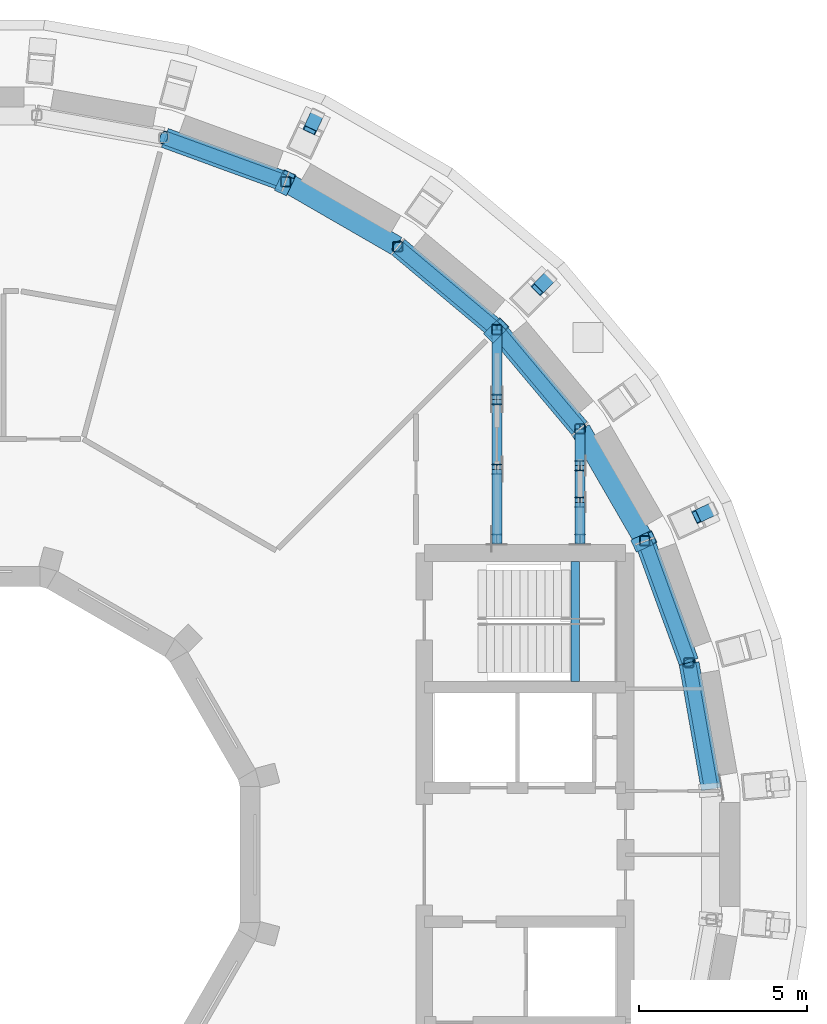
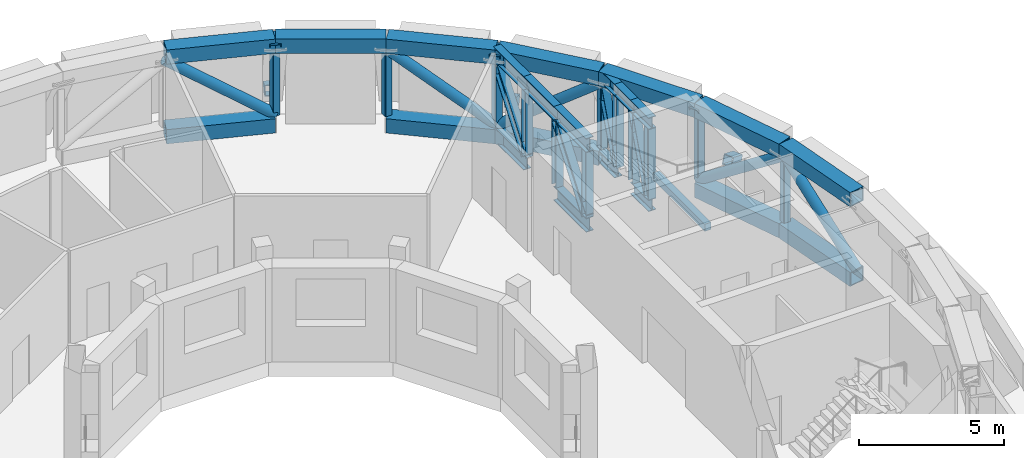
# One storey, part 7 of 20: 43 members, 7 beams.
"""IFC4 building model written with IfcOpenShell, lengths in metres."""

from ifc_helpers import new_model, si_unit, direction, frame, origin, origin_2d, place, context, subcontext, project, spatial, rectangle, hollow_rectangle, hollow_circle, i_section, extrude, material, material_profile, profile_set, type_object, element, save


model = new_model("IFC4")

# Units and contexts
model_context = context("Model", 3, precision=1e-05, world=origin(), true_north=direction((0.0, 1.0)))
body_context = subcontext(model_context, "Body", "Model", "MODEL_VIEW")
ifc_project = project(units=[si_unit("LENGTHUNIT", "METRE"), si_unit("AREAUNIT", "SQUARE_METRE"), si_unit("VOLUMEUNIT", "CUBIC_METRE"), si_unit("PLANEANGLEUNIT", "RADIAN"), si_unit("MASSUNIT", "GRAM", prefix="KILO")], contexts=[model_context])

# Site, building, storey
site_placement = place(None, origin())
site = spatial("IfcSite", under=ifc_project, at=site_placement, CompositionType="ELEMENT")
building_placement = place(site_placement, origin())
building = spatial("IfcBuilding", under=site, at=building_placement, Name="Saqina Gate Tower", CompositionType="ELEMENT")
storey_placement = place(building_placement, frame((0.0, 0.0, 220.199951171875)))
storey = spatial("IfcBuildingStorey", under=building, at=storey_placement, Name="L63", CompositionType="ELEMENT", Elevation=220.199951171875)

# Beam
ifc_material_1 = material(Name="Concrete C40/50", Category="concrete")
ifc_material_profile_1 = material_profile(ifc_material_1, rectangle(XDim=0.25, YDim=0.300048828125, at=origin_2d()), Name="STAIR LANDING BEAM")
ifc_profile_set_1 = profile_set([ifc_material_profile_1], Name="Concrete C40/50")
beam_type_1 = type_object("IfcBeamType", Name="STAIR LANDING BEAM", PredefinedType="BEAM", material=ifc_profile_set_1)
beam_placement = place(storey_placement, frame((18.0, 5.175048828125, 1.85009765625), z_axis=(0.0, 1.0, 0.0), x_axis=(-1.0, 0.0, 0.0)))
element("IfcBeam", 1, at=beam_placement, inside=storey, type_object=beam_type_1, Name="EXIT STAIR 1 LANDING BEAM", PredefinedType="BEAM", context=body_context, shape_type="SweptSolid", body=[
    extrude(rectangle(XDim=0.25, YDim=0.300048828125, at=origin_2d()), origin(), (0.0, 0.0, 1.0), 3.574951171875),
])

# Members
ifc_material_2 = material(Name="Steel S460", Category="steel")
ifc_material_profile_2 = material_profile(ifc_material_2, hollow_rectangle(XDim=0.60009765625, YDim=0.60009765625, WallThickness=0.0400390625, at=origin_2d()), Name="BOX 600x600x40")
ifc_profile_set_2 = profile_set([ifc_material_profile_2], Name="Steel S460")
member_type_1 = type_object("IfcMemberType", Name="STR-BELT TRUSS L63 CHORD-BOX 600x600x40", PredefinedType="CHORD", material=ifc_profile_set_2)
for number, where, z_axis, x_axis, name in (
    (2, (22.06103515625, 1.956298828125, 0.300048828125), (-0.173591515108, 0.984817742469, 0.0), (-0.984817742469, -0.173591515108, 0.0), "BELT TRUSS L63 CHORD 001"),
    (3, (22.06103515625, 1.956298828125, 3.650146484375), (-0.173591515108, 0.984817742469, 0.0), (-0.984817742469, -0.173591515108, 0.0), "BELT TRUSS L63 CHORD 002"),
    (4, (21.38623046875, 5.757568359375, 0.300048828125), (-0.341995255876, 0.939701678704, 0.0), (-0.939701678704, -0.341995255876, 0.0), "BELT TRUSS L63 CHORD 004"),
    (5, (21.38623046875, 5.757568359375, 3.650146484375), (-0.341995255876, 0.939701678704, 0.0), (-0.939701678704, -0.341995255876, 0.0), "BELT TRUSS L63 CHORD 005"),
):
    element("IfcMember", number, at=place(storey_placement, frame(where, z_axis=z_axis, x_axis=x_axis)), inside=storey, type_object=member_type_1, Name=name, PredefinedType="CHORD", context=body_context, shape_type="SweptSolid", body=[
        extrude(hollow_rectangle(XDim=0.60009765625, YDim=0.60009765625, WallThickness=0.0400390625, at=origin_2d()), origin(), (0.0, 0.0, 1.0), 3.80859375),
    ])
member_1_placement = place(storey_placement, frame((20.0615234375, 9.3837890625, 3.650146484375), z_axis=(-0.500027655771, 0.866009436129, 0.0), x_axis=(-0.866009436129, -0.500027655771, 0.0)))
element("IfcMember", 6, at=member_1_placement, inside=storey, type_object=member_type_1, Name="BELT TRUSS L63 CHORD 007", PredefinedType="CHORD", context=body_context, shape_type="SweptSolid", body=[
    extrude(hollow_rectangle(XDim=0.60009765625, YDim=0.60009765625, WallThickness=0.0400390625, at=origin_2d()), origin(), (0.0, 0.0, 1.0), 3.808349609375),
])
for number, where, z_axis, x_axis, name in (
    (7, (18.12744140625, 12.724853515625, 0.300048828125), (-0.642816175622, 0.766020472545, 0.0), (-0.766020472545, -0.642816175622, 0.0), "BELT TRUSS L63 CHORD 008"),
    (8, (18.12744140625, 12.724853515625, 3.650146484375), (-0.642816175622, 0.766020472545, 0.0), (-0.766020472545, -0.642816175622, 0.0), "BELT TRUSS L63 CHORD 009"),
    (9, (15.642333984375, 15.67919921875, 0.300048828125), (-0.766020472545, 0.642816175622, 0.0), (-0.642816175622, -0.766020472545, 0.0), "BELT TRUSS L63 CHORD 011"),
    (10, (15.642333984375, 15.67919921875, 3.650146484375), (-0.766020472545, 0.642816175622, 0.0), (-0.642816175622, -0.766020472545, 0.0), "BELT TRUSS L63 CHORD 012"),
):
    element("IfcMember", number, at=place(storey_placement, frame(where, z_axis=z_axis, x_axis=x_axis)), inside=storey, type_object=member_type_1, Name=name, PredefinedType="CHORD", context=body_context, shape_type="SweptSolid", body=[
        extrude(hollow_rectangle(XDim=0.60009765625, YDim=0.60009765625, WallThickness=0.0400390625, at=origin_2d()), origin(), (0.0, 0.0, 1.0), 3.80859375),
    ])
member_2_placement = place(storey_placement, frame((12.681884765625, 18.1572265625, 3.650146484375), z_axis=(-0.866009436129, 0.500027655771, 0.0), x_axis=(-0.500027655771, -0.866009436129, 0.0)))
element("IfcMember", 11, at=member_2_placement, inside=storey, type_object=member_type_1, Name="BELT TRUSS L63 CHORD 014", PredefinedType="CHORD", context=body_context, shape_type="SweptSolid", body=[
    extrude(hollow_rectangle(XDim=0.60009765625, YDim=0.60009765625, WallThickness=0.0400390625, at=origin_2d()), origin(), (0.0, 0.0, 1.0), 3.808349609375),
])
for number, where, z_axis, x_axis, name in (
    (12, (9.33642578125, 20.083740234375, 0.300048828125), (-0.939701678704, 0.341995255876, 0.0), (-0.341995255876, -0.939701678704, 0.0), "BELT TRUSS L63 CHORD 015"),
    (13, (9.33642578125, 20.083740234375, 3.650146484375), (-0.939701678704, 0.341995255876, 0.0), (-0.341995255876, -0.939701678704, 0.0), "BELT TRUSS L63 CHORD 016"),
):
    element("IfcMember", number, at=place(storey_placement, frame(where, z_axis=z_axis, x_axis=x_axis)), inside=storey, type_object=member_type_1, Name=name, PredefinedType="CHORD", context=body_context, shape_type="SweptSolid", body=[
        extrude(hollow_rectangle(XDim=0.60009765625, YDim=0.60009765625, WallThickness=0.0400390625, at=origin_2d()), origin(), (0.0, 0.0, 1.0), 3.80859375),
    ])
ifc_material_3 = material(Name="Steel S460", Category="steel")
ifc_material_profile_3 = material_profile(ifc_material_3, hollow_circle(Radius=0.203125, WallThickness=0.01611328125, at=origin_2d()), Name="CHS 406.4x16")
ifc_profile_set_3 = profile_set([ifc_material_profile_3], Name="Steel S460")
member_type_2 = type_object("IfcMemberType", Name="STR-BELT TRUSS L63 DIAGONAL-CHS 406.4x16", PredefinedType="BRACE", material=ifc_profile_set_3)
for number, where, z_axis, x_axis, name in (
    (14, (22.0673828125, 1.9208984375, 0.593017578125), (-0.141436387066, 0.802139045921, 0.580145412309), (-0.984808250391, -0.17364535687, 0.0), "BELT TRUSS L63 DIAGONAL 003"),
    (15, (21.398681640625, 5.7236328125, 3.35693359375), (-0.27861538892, 0.765385221428, -0.580136990612), (-0.939677645305, -0.342061285319, 0.0), "BELT TRUSS L63 DIAGONAL 006"),
    (16, (18.150390625, 12.697265625, 3.35693359375), (-0.523528120524, 0.623970085699, -0.580154840687), (-0.766071615577, -0.642755225422, 0.0), "BELT TRUSS L63 DIAGONAL 010"),
    (17, (15.669921875, 15.65625, 0.593017578125), (-0.623970085699, 0.523528120524, 0.580154840687), (-0.642755225422, -0.766071615577, 0.0), "BELT TRUSS L63 DIAGONAL 013"),
    (18, (9.3701171875, 20.0712890625, 0.593017578125), (-0.765385221428, 0.27861538892, 0.580136990612), (-0.342061285319, -0.939677645305, 0.0), "BELT TRUSS L63 DIAGONAL 017"),
):
    element("IfcMember", number, at=place(storey_placement, frame(where, z_axis=z_axis, x_axis=x_axis)), inside=storey, type_object=member_type_2, Name=name, PredefinedType="BRACE", context=body_context, shape_type="SweptSolid", body=[
        extrude(hollow_circle(Radius=0.203125, WallThickness=0.01611328125, at=origin_2d()), origin(), (0.0, 0.0, 1.0), 4.76416015625),
    ])
ifc_material_4 = material(Name="Steel S460", Category="steel")
ifc_material_profile_4 = material_profile(ifc_material_4, hollow_rectangle(XDim=0.300048828125, YDim=0.300048828125, WallThickness=0.01611328125, InnerFilletRadius=0.031982421875, OuterFilletRadius=0.048095703125, at=origin_2d()), Name="SHS 300x300x16")
ifc_profile_set_4 = profile_set([ifc_material_profile_4], Name="Steel S460")
member_type_3 = type_object("IfcMemberType", Name="STR-BELT TRUSS L63 POST-SHS 300x300x16", PredefinedType="POST", material=ifc_profile_set_4)
for number, where, z_axis, x_axis, name in (
    (19, (21.395263671875, 5.73291015625, 0.60009765625), (0.0, 0.0, 1.0), (1.0, 0.0, 0.0), "BELT TRUSS L63 POST 085"),
    (20, (20.07470703125, 9.361083984375, 0.60009765625), (0.0, 0.0, 1.0), (1.0, 0.0, 0.0), "BELT TRUSS L63 POST 086"),
    (21, (18.144287109375, 12.704833984375, 0.60009765625), (0.0, 0.0, 1.0), (1.0, 0.0, 0.0), "BELT TRUSS L63 POST 087"),
    (22, (15.662353515625, 15.662353515625, 0.60009765625), (0.0, 0.0, 1.0), (1.0, 0.0, 0.0), "BELT TRUSS L63 POST 088"),
    (23, (12.704833984375, 18.144287109375, 0.60009765625), (0.0, 0.0, 1.0), (1.0, 0.0, 0.0), "BELT TRUSS L63 POST 089"),
    (24, (9.361083984375, 20.07470703125, 0.60009765625), (0.0, 0.0, 1.0), (1.0, 0.0, 0.0), "BELT TRUSS L63 POST 090"),
):
    element("IfcMember", number, at=place(storey_placement, frame(where, z_axis=z_axis, x_axis=x_axis)), inside=storey, type_object=member_type_3, Name=name, PredefinedType="POST", context=body_context, shape_type="SweptSolid", body=[
        extrude(hollow_rectangle(XDim=0.300048828125, YDim=0.300048828125, WallThickness=0.01611328125, InnerFilletRadius=0.031982421875, OuterFilletRadius=0.048095703125, at=origin_2d()), origin(), (0.0, 0.0, 1.0), 2.75),
    ])

# Beams
ifc_material_5 = material(Name="Steel S460", Category="steel")
ifc_material_profile_5 = material_profile(ifc_material_5, hollow_rectangle(XDim=0.39990234375, YDim=0.39990234375, WallThickness=0.030029296875, at=origin_2d()), Name="BOX 400x400x30")
ifc_profile_set_5 = profile_set([ifc_material_profile_5], Name="Steel S460")
beam_type_2 = type_object("IfcBeamType", Name="STR-NODE TIE BEAM L63-BOX 400x400x30", PredefinedType="BEAM", material=ifc_profile_set_5)
for number, where, z_axis, x_axis, name in (
    (25, (22.114013671875, 10.311767578125, 0.1884765625), (-0.853737646481, -0.398020685333, 0.335725431011), (0.42254525848, -0.906341825437, 0.0), "NODE TIE BEAM L63 03 FOOT"),
    (26, (19.802734375, 9.234130859375, 3.565673828125), (0.853737646481, 0.398020685333, 0.335725431011), (-0.42254525848, 0.906341825437, 0.0), "NODE TIE BEAM L63 03 HEAD"),
    (27, (17.25341796875, 17.25341796875, 0.1884765625), (-0.666060531238, -0.666060531238, 0.335748026732), (0.707106781187, -0.707106781187, 0.0), "NODE TIE BEAM L63 05 FOOT"),
    (28, (15.4501953125, 15.4501953125, 3.565673828125), (0.666060531238, 0.666060531238, 0.335748026732), (-0.707106781187, 0.707106781187, 0.0), "NODE TIE BEAM L63 05 HEAD"),
    (29, (10.311767578125, 22.114013671875, 0.1884765625), (-0.398020685333, -0.853737646481, 0.335725431011), (0.906341825437, -0.42254525848, 0.0), "NODE TIE BEAM L63 07 FOOT"),
    (30, (9.234130859375, 19.802734375, 3.565673828125), (0.398020685333, 0.853737646481, 0.335725431011), (-0.906341825437, 0.42254525848, 0.0), "NODE TIE BEAM L63 07 HEAD"),
):
    element("IfcBeam", number, at=place(storey_placement, frame(where, z_axis=z_axis, x_axis=x_axis)), inside=storey, type_object=beam_type_2, Name=name, PredefinedType="BEAM", context=body_context, shape_type="SweptSolid", body=[
        extrude(hollow_rectangle(XDim=0.39990234375, YDim=0.39990234375, WallThickness=0.030029296875, at=origin_2d()), origin(), (0.0, 0.0, 1.0), 0.583984375),
    ])

# Members
ifc_material_6 = material(Name="Steel S460", Category="steel")
ifc_material_profile_6 = material_profile(ifc_material_6, i_section(OverallWidth=0.300048828125, OverallDepth=0.5, WebThickness=0.014404296875, FlangeThickness=0.028076171875, FilletRadius=0.027099609375, at=origin_2d()), Name="HE 500 B")
ifc_profile_set_6 = profile_set([ifc_material_profile_6], Name="Steel S460")
member_type_4 = type_object("IfcMemberType", Name="STR-OUTRIGGER TRUSS L63 CHORD-HE 500 B", PredefinedType="CHORD", material=ifc_profile_set_6)
for number, where, z_axis, x_axis, name in (
    (31, (18.144287109375, 9.26806640625, 0.25), (0.0, 1.0, 0.0), (-1.0, 0.0, 0.0), "OUTRIGGER TRUSS L63 CHORD 120"),
    (32, (18.144287109375, 9.26806640625, 3.699951171875), (0.0, 1.0, 0.0), (-1.0, 0.0, 0.0), "OUTRIGGER TRUSS L63 CHORD 121"),
):
    element("IfcMember", number, at=place(storey_placement, frame(where, z_axis=z_axis, x_axis=x_axis)), inside=storey, type_object=member_type_4, Name=name, PredefinedType="CHORD", context=body_context, shape_type="SweptSolid", body=[
        extrude(i_section(OverallWidth=0.300048828125, OverallDepth=0.5, WebThickness=0.014404296875, FlangeThickness=0.028076171875, FilletRadius=0.027099609375, at=origin_2d()), origin(), (0.0, 0.0, 1.0), 1.24560546875),
    ])
member_3_placement = place(storey_placement, frame((18.144287109375, 10.513671875, 3.699951171875), z_axis=(0.0, 1.0, 0.0), x_axis=(-1.0, 0.0, 0.0)))
element("IfcMember", 33, at=member_3_placement, inside=storey, type_object=member_type_4, Name="OUTRIGGER TRUSS L63 CHORD 123", PredefinedType="CHORD", context=body_context, shape_type="SweptSolid", body=[
    extrude(i_section(OverallWidth=0.300048828125, OverallDepth=0.5, WebThickness=0.014404296875, FlangeThickness=0.028076171875, FilletRadius=0.027099609375, at=origin_2d()), origin(), (0.0, 0.0, 1.0), 1.095458984375),
])
for number, where, z_axis, x_axis, name in (
    (34, (18.144287109375, 11.609130859375, 0.25), (0.0, 1.0, 0.0), (-1.0, 0.0, 0.0), "OUTRIGGER TRUSS L63 CHORD 124"),
    (35, (18.144287109375, 11.609130859375, 3.699951171875), (0.0, 1.0, 0.0), (-1.0, 0.0, 0.0), "OUTRIGGER TRUSS L63 CHORD 125"),
):
    element("IfcMember", number, at=place(storey_placement, frame(where, z_axis=z_axis, x_axis=x_axis)), inside=storey, type_object=member_type_4, Name=name, PredefinedType="CHORD", context=body_context, shape_type="SweptSolid", body=[
        extrude(i_section(OverallWidth=0.300048828125, OverallDepth=0.5, WebThickness=0.014404296875, FlangeThickness=0.028076171875, FilletRadius=0.027099609375, at=origin_2d()), origin(), (0.0, 0.0, 1.0), 1.095703125),
    ])
ifc_material_7 = material(Name="Steel S460", Category="steel")
ifc_material_profile_7 = material_profile(ifc_material_7, i_section(OverallWidth=0.300048828125, OverallDepth=0.300048828125, WebThickness=0.010986328125, FlangeThickness=0.01904296875, FilletRadius=0.027099609375, at=origin_2d()), Name="HE 300 B")
ifc_profile_set_7 = profile_set([ifc_material_profile_7], Name="Steel S460")
member_type_5 = type_object("IfcMemberType", Name="STR-OUTRIGGER TRUSS L63 DIAGONAL-HE 300 B", PredefinedType="BRACE", material=ifc_profile_set_7)
for number, where, z_axis, x_axis, name in (
    (36, (18.144287109375, 9.413818359375, 0.48876953125), (0.0, 0.348176863633, 0.937428862171), (-1.0, 0.0, 0.0), "OUTRIGGER TRUSS L63 DIAGONAL 122"),
    (37, (18.144287109375, 11.60498046875, 0.48876953125), (0.0, 0.348176863633, 0.937428862171), (-1.0, 0.0, 0.0), "OUTRIGGER TRUSS L63 DIAGONAL 126"),
):
    element("IfcMember", number, at=place(storey_placement, frame(where, z_axis=z_axis, x_axis=x_axis)), inside=storey, type_object=member_type_5, Name=name, PredefinedType="BRACE", context=body_context, shape_type="SweptSolid", body=[
        extrude(i_section(OverallWidth=0.300048828125, OverallDepth=0.300048828125, WebThickness=0.010986328125, FlangeThickness=0.01904296875, FilletRadius=0.027099609375, at=origin_2d()), origin(), (0.0, 0.0, 1.0), 3.1708984375),
    ])
ifc_material_8 = material(Name="Steel S460", Category="steel")
ifc_material_profile_8 = material_profile(ifc_material_8, i_section(OverallWidth=0.300048828125, OverallDepth=0.60009765625, WebThickness=0.015380859375, FlangeThickness=0.030029296875, FilletRadius=0.027099609375, at=origin_2d()), Name="HE 600 B")
ifc_profile_set_8 = profile_set([ifc_material_profile_8], Name="Steel S460")
member_type_6 = type_object("IfcMemberType", Name="STR-OUTRIGGER TRUSS L63 LONG CHORD-HE 600 B", PredefinedType="CHORD", material=ifc_profile_set_8)
for number, where, z_axis, x_axis, name in (
    (38, (15.662353515625, 9.26806640625, 0.300048828125), (0.0, 1.0, 0.0), (-1.0, 0.0, 0.0), "OUTRIGGER TRUSS L63 LONG CHORD 160"),
    (39, (15.662353515625, 9.26806640625, 3.650146484375), (0.0, 1.0, 0.0), (-1.0, 0.0, 0.0), "OUTRIGGER TRUSS L63 LONG CHORD 161"),
):
    element("IfcMember", number, at=place(storey_placement, frame(where, z_axis=z_axis, x_axis=x_axis)), inside=storey, type_object=member_type_6, Name=name, PredefinedType="CHORD", context=body_context, shape_type="SweptSolid", body=[
        extrude(i_section(OverallWidth=0.300048828125, OverallDepth=0.60009765625, WebThickness=0.015380859375, FlangeThickness=0.030029296875, FilletRadius=0.027099609375, at=origin_2d()), origin(), (0.0, 0.0, 1.0), 2.2314453125),
    ])
member_4_placement = place(storey_placement, frame((15.662353515625, 11.49951171875, 3.650146484375), z_axis=(0.0, 1.0, 0.0), x_axis=(-1.0, 0.0, 0.0)))
element("IfcMember", 40, at=member_4_placement, inside=storey, type_object=member_type_6, Name="OUTRIGGER TRUSS L63 LONG CHORD 163", PredefinedType="CHORD", context=body_context, shape_type="SweptSolid", body=[
    extrude(i_section(OverallWidth=0.300048828125, OverallDepth=0.60009765625, WebThickness=0.015380859375, FlangeThickness=0.030029296875, FilletRadius=0.027099609375, at=origin_2d()), origin(), (0.0, 0.0, 1.0), 2.08154296875),
])
for number, where, z_axis, x_axis, name in (
    (41, (15.662353515625, 13.5810546875, 0.300048828125), (0.0, 1.0, 0.0), (-1.0, 0.0, 0.0), "OUTRIGGER TRUSS L63 LONG CHORD 164"),
    (42, (15.662353515625, 13.5810546875, 3.650146484375), (0.0, 1.0, 0.0), (-1.0, 0.0, 0.0), "OUTRIGGER TRUSS L63 LONG CHORD 165"),
):
    element("IfcMember", number, at=place(storey_placement, frame(where, z_axis=z_axis, x_axis=x_axis)), inside=storey, type_object=member_type_6, Name=name, PredefinedType="CHORD", context=body_context, shape_type="SweptSolid", body=[
        extrude(i_section(OverallWidth=0.300048828125, OverallDepth=0.60009765625, WebThickness=0.015380859375, FlangeThickness=0.030029296875, FilletRadius=0.027099609375, at=origin_2d()), origin(), (0.0, 0.0, 1.0), 2.081298828125),
    ])
ifc_material_9 = material(Name="Steel S460", Category="steel")
ifc_material_profile_9 = material_profile(ifc_material_9, i_section(OverallWidth=0.300048828125, OverallDepth=0.39990234375, WebThickness=0.013427734375, FlangeThickness=0.02392578125, FilletRadius=0.027099609375, at=origin_2d()), Name="HE 400 B")
ifc_profile_set_9 = profile_set([ifc_material_profile_9], Name="Steel S460")
member_type_7 = type_object("IfcMemberType", Name="STR-OUTRIGGER TRUSS L63 LONG DIAGONAL-HE 400 B", PredefinedType="BRACE", material=ifc_profile_set_9)
for number, where, z_axis, x_axis, name in (
    (43, (15.662353515625, 9.41064453125, 0.590576171875), (0.0, 0.603570718671, 0.797309467875), (-1.0, 0.0, 0.0), "OUTRIGGER TRUSS L63 LONG DIAGONAL 162"),
    (44, (15.662353515625, 13.57373046875, 0.590576171875), (0.0, 0.603526027806, 0.797343297307), (-1.0, 0.0, 0.0), "OUTRIGGER TRUSS L63 LONG DIAGONAL 166"),
):
    element("IfcMember", number, at=place(storey_placement, frame(where, z_axis=z_axis, x_axis=x_axis)), inside=storey, type_object=member_type_7, Name=name, PredefinedType="BRACE", context=body_context, shape_type="SweptSolid", body=[
        extrude(i_section(OverallWidth=0.300048828125, OverallDepth=0.39990234375, WebThickness=0.013427734375, FlangeThickness=0.02392578125, FilletRadius=0.027099609375, at=origin_2d()), origin(), (0.0, 0.0, 1.0), 3.472900390625),
    ])
ifc_material_10 = material(Name="Steel S460", Category="steel")
ifc_material_profile_10 = material_profile(ifc_material_10, i_section(OverallWidth=0.300048828125, OverallDepth=0.300048828125, WebThickness=0.010986328125, FlangeThickness=0.01904296875, FilletRadius=0.027099609375, at=origin_2d()), Name="HE 300 B")
ifc_profile_set_10 = profile_set([ifc_material_profile_10], Name="Steel S460")
member_type_8 = type_object("IfcMemberType", Name="STR-OUTRIGGER TRUSS L63 LONG POST-HE 300 B", PredefinedType="POST", material=ifc_profile_set_10)
for number, where, z_axis, x_axis, name in (
    (45, (15.662353515625, 9.41796875, 0.60009765625), (0.0, 0.0, 1.0), (1.0, 0.0, 0.0), "OUTRIGGER TRUSS L63 LONG POST 167"),
    (46, (15.662353515625, 11.49951171875, 0.60009765625), (0.0, 0.0, 1.0), (1.0, 0.0, 0.0), "OUTRIGGER TRUSS L63 LONG POST 168"),
    (47, (15.662353515625, 13.5810546875, 0.60009765625), (0.0, 0.0, 1.0), (1.0, 0.0, 0.0), "OUTRIGGER TRUSS L63 LONG POST 169"),
):
    element("IfcMember", number, at=place(storey_placement, frame(where, z_axis=z_axis, x_axis=x_axis)), inside=storey, type_object=member_type_8, Name=name, PredefinedType="POST", context=body_context, shape_type="SweptSolid", body=[
        extrude(i_section(OverallWidth=0.300048828125, OverallDepth=0.300048828125, WebThickness=0.010986328125, FlangeThickness=0.01904296875, FilletRadius=0.027099609375, at=origin_2d()), origin(), (0.0, 0.0, 1.0), 2.75),
    ])
ifc_material_11 = material(Name="Steel S460", Category="steel")
ifc_material_profile_11 = material_profile(ifc_material_11, i_section(OverallWidth=0.300048828125, OverallDepth=0.300048828125, WebThickness=0.010986328125, FlangeThickness=0.01904296875, FilletRadius=0.027099609375, at=origin_2d()), Name="HE 300 B")
ifc_profile_set_11 = profile_set([ifc_material_profile_11], Name="Steel S460")
member_type_9 = type_object("IfcMemberType", Name="STR-OUTRIGGER TRUSS L63 POST-HE 300 B", PredefinedType="POST", material=ifc_profile_set_11)
for number, where, z_axis, x_axis, name in (
    (48, (18.144287109375, 9.41796875, 0.5), (0.0, 0.0, 1.0), (1.0, 0.0, 0.0), "OUTRIGGER TRUSS L63 POST 127"),
    (49, (18.144287109375, 10.513671875, 0.5), (0.0, 0.0, 1.0), (1.0, 0.0, 0.0), "OUTRIGGER TRUSS L63 POST 128"),
    (50, (18.144287109375, 11.609130859375, 0.5), (0.0, 0.0, 1.0), (1.0, 0.0, 0.0), "OUTRIGGER TRUSS L63 POST 129"),
):
    element("IfcMember", number, at=place(storey_placement, frame(where, z_axis=z_axis, x_axis=x_axis)), inside=storey, type_object=member_type_9, Name=name, PredefinedType="POST", context=body_context, shape_type="SweptSolid", body=[
        extrude(i_section(OverallWidth=0.300048828125, OverallDepth=0.300048828125, WebThickness=0.010986328125, FlangeThickness=0.01904296875, FilletRadius=0.027099609375, at=origin_2d()), origin(), (0.0, 0.0, 1.0), 2.949951171875),
    ])

save(model, "model.ifc")
